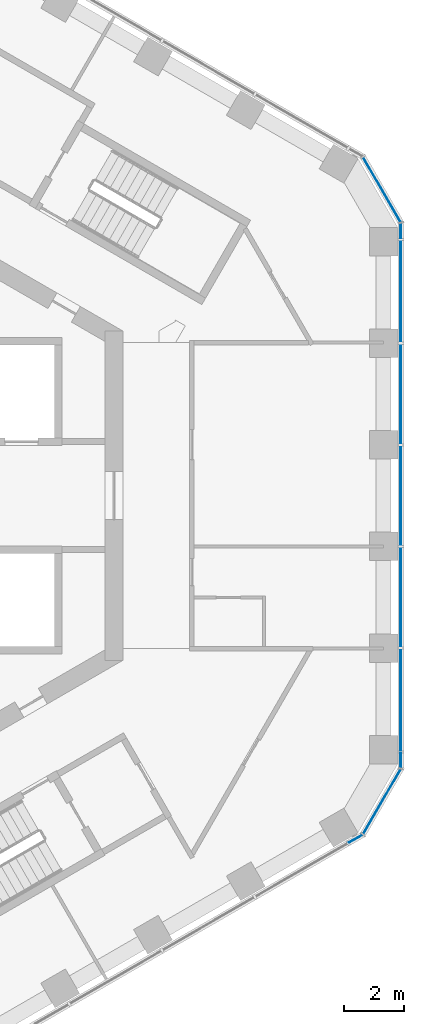
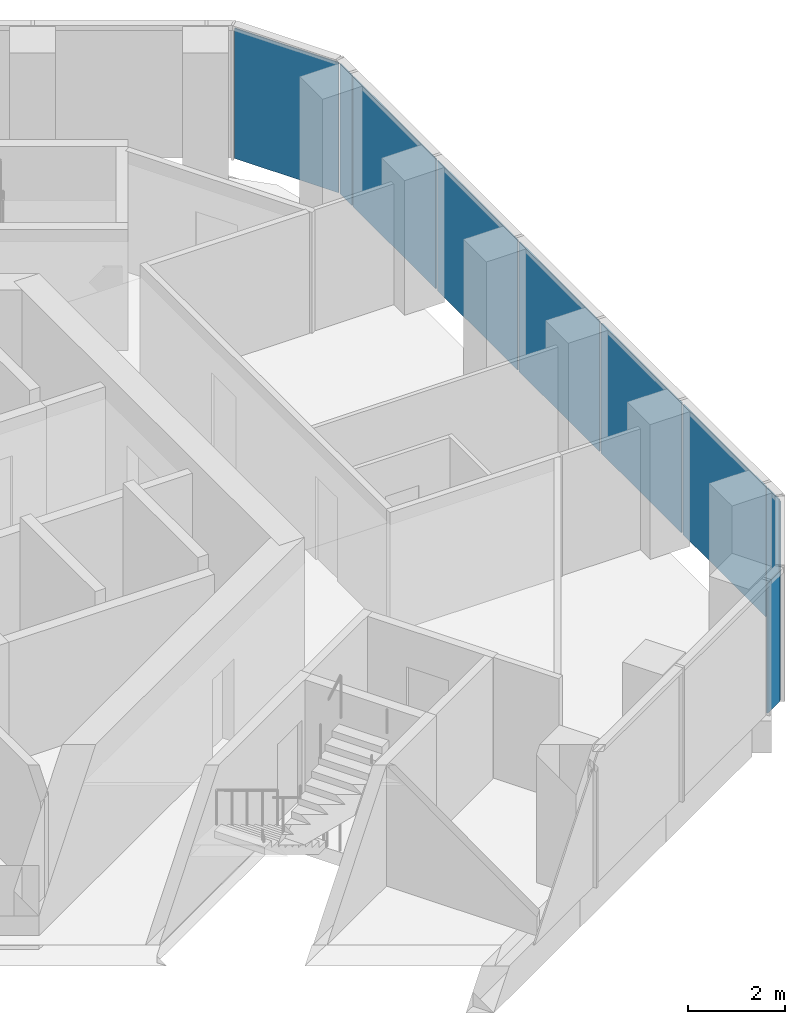
# One storey, part 12 of 18: 10 plates, 3 elements without a shape of their own.
"""IFC4 building model written with IfcOpenShell, lengths in metres."""

import ifcopenshell
import ifcopenshell.guid

model = None  # the IFC model being written
_history = None  # IfcOwnerHistory: only IFC2X3 demands one
_inside = {}  # id of a spatial element -> (the spatial element, [elements in it])
_under = {}  # id of a project, library or spatial element -> (it, [spatial elements below it])
_declared = {}  # id of a project -> (the project, [libraries it declares])
_typed = {}  # id of a type object -> (the type object, [elements of that type])
_made_of = {}  # id of a material, layer set ... -> (it, [elements and type objects made of it])


def new_model(schema):
    """Start an empty IFC model of exactly this schema.

    Asked for "IFC4X3", IfcOpenShell would pick the latest addendum, in which some entities
    have other attributes; the version numbers below select the first issue.
    IFC2X3 requires an IfcOwnerHistory on every rooted entity: one is made here for all.
    """
    global model, _history
    if schema == "IFC4X3":
        model = ifcopenshell.file(schema_version=(4, 3, 0, 0))
    else:
        model = ifcopenshell.file(schema=schema)
    _inside.clear()
    _under.clear()
    _declared.clear()
    _typed.clear()
    _made_of.clear()
    _history = None
    if model.schema == "IFC2X3":
        org = make("IfcOrganization", Name="unknown")
        user = make(
            "IfcPersonAndOrganization",
            ThePerson=make("IfcPerson", FamilyName="unknown"),
            TheOrganization=org,
        )
        app = make(
            "IfcApplication",
            ApplicationDeveloper=org,
            Version="unknown",
            ApplicationFullName="unknown",
            ApplicationIdentifier="unknown",
        )
        _history = make(
            "IfcOwnerHistory",
            OwningUser=user,
            OwningApplication=app,
            ChangeAction="ADDED",
            CreationDate=0,
        )
    return model


def make(cls, **values):
    """One entity of the class cls with the attributes given. An attribute that is None is left unset."""
    return model.create_entity(
        cls, **{name: value for name, value in values.items() if value is not None}
    )


def rooted(cls, **values):
    """An entity with a GlobalId (a new one), such as an element, a storey or a relation."""
    return make(cls, GlobalId=ifcopenshell.guid.new(), OwnerHistory=_history, **values)


def si_unit(unit_type, name, prefix=None):
    """IfcSIUnit, for example si_unit("LENGTHUNIT", "METRE", prefix="MILLI")."""
    return make("IfcSIUnit", UnitType=unit_type, Prefix=prefix, Name=name)


def assignment(units):
    """IfcUnitAssignment: the units of a project."""
    return None if units is None else make("IfcUnitAssignment", Units=units)


def point(xyz):
    """IfcCartesianPoint."""
    return None if xyz is None else make("IfcCartesianPoint", Coordinates=xyz)


def direction(xyz):
    """IfcDirection."""
    return None if xyz is None else make("IfcDirection", DirectionRatios=xyz)


def frame(location, z_axis=None, x_axis=None):
    """IfcAxis2Placement3D, a coordinate frame: its origin and axes. An axis left out is left unset."""
    return make(
        "IfcAxis2Placement3D",
        Location=point(location),
        Axis=direction(z_axis),
        RefDirection=direction(x_axis),
    )


def frame_2d(location, x_axis=None):
    """IfcAxis2Placement2D, a coordinate frame in the plane: its origin and x axis."""
    return make(
        "IfcAxis2Placement2D", Location=point(location), RefDirection=direction(x_axis)
    )


def origin():
    """The frame at (0, 0, 0) with its axes left unset."""
    return frame((0.0, 0.0, 0.0))


def origin_2d():
    """The frame at (0, 0) in the plane with its x axis left unset."""
    return frame_2d((0.0, 0.0))


def place(relative_to, where):
    """IfcLocalPlacement: puts the frame where relative to a parent placement (None: the world)."""
    return make(
        "IfcLocalPlacement", PlacementRelTo=relative_to, RelativePlacement=where
    )


def context(
    kind, dimensions, precision=None, world=None, true_north=None, identifier=None
):
    """IfcGeometricRepresentationContext, for example the 3D "Model" context."""
    return make(
        "IfcGeometricRepresentationContext",
        ContextIdentifier=identifier,
        ContextType=kind,
        CoordinateSpaceDimension=dimensions,
        Precision=precision,
        WorldCoordinateSystem=world,
        TrueNorth=true_north,
    )


def subcontext(parent, identifier, kind, view, scale=None):
    """IfcGeometricRepresentationSubContext, for example "Body" below "Model"."""
    return make(
        "IfcGeometricRepresentationSubContext",
        ContextIdentifier=identifier,
        ContextType=kind,
        ParentContext=parent,
        TargetScale=scale,
        TargetView=view,
    )


def project(units=None, contexts=None):
    """IfcProject with its units and contexts."""
    return rooted(
        "IfcProject",
        Name="project",
        RepresentationContexts=contexts,
        UnitsInContext=assignment(units),
    )


def spatial(cls, under=None, at=None, **own):
    """A site, building, storey or space (cls), placed at a placement, below another one or the project."""
    s = rooted(cls, ObjectPlacement=at, **own)
    if under is not None:
        _under.setdefault(under.id(), (under, []))[1].append(s)
    return s


def profile(cls, at=None, kind="AREA", **sizes):
    """A parametric profile (cls). Its sizes go by their IFC names, for example OverallWidth=200.0."""
    return make(cls, ProfileType=kind, Position=at, **sizes)


def rectangle(**sizes):
    """IfcRectangleProfileDef."""
    return profile("IfcRectangleProfileDef", **sizes)


def extrude(swept, where, along, depth):
    """IfcExtrudedAreaSolid: the profile swept, set in the frame where, extruded along a direction by depth."""
    return make(
        "IfcExtrudedAreaSolid",
        SweptArea=swept,
        Position=where,
        ExtrudedDirection=direction(along),
        Depth=depth,
    )


def shape(context_of_items, identifier, shape_type, items):
    """IfcShapeRepresentation: the items that make up one representation, for example the "Body"."""
    return make(
        "IfcShapeRepresentation",
        ContextOfItems=context_of_items,
        RepresentationIdentifier=identifier,
        RepresentationType=shape_type,
        Items=items,
    )


def material(Name=None, Category=None):
    """IfcMaterial."""
    return make("IfcMaterial", Name=Name, Category=Category)


def layer(
    of_material, thickness, ventilated=None, Name=None, Category=None, Priority=None
):
    """IfcMaterialLayer: one layer of a wall or slab, of a material (None: an air gap)."""
    return make(
        "IfcMaterialLayer",
        Material=of_material,
        LayerThickness=thickness,
        IsVentilated=ventilated,
        Name=Name,
        Category=Category,
        Priority=Priority,
    )


def layer_set(layers, Name=None):
    """IfcMaterialLayerSet."""
    return make("IfcMaterialLayerSet", MaterialLayers=layers, LayerSetName=Name)


def made_of(thing, what):
    """Note that an element or type object is made of a material, layer set ...; save() writes the relation."""
    if what is not None:
        _made_of.setdefault(what.id(), (what, []))[1].append(thing)
    return thing


def type_object(cls, material=None, **own):
    """A type object (cls), such as IfcWallType, which elements share."""
    return made_of(rooted(cls, **own), material)


def element(
    cls,
    number,
    at=None,
    inside=None,
    cuts=None,
    type_object=None,
    material=None,
    context=None,
    identifier="Body",
    shape_type=None,
    held_by="IfcProductDefinitionShape",
    body=None,
    shapes=None,
    **own,
):
    """One element of the class cls, such as IfcWall. Its Tag is "e" and its number.

    at: its placement. inside: the storey or other place that contains it. cuts: it is an
    opening in that element (IfcRelVoidsElement). A single representation is given by context,
    identifier, shape_type and body (its items); several are given by shapes. held_by: the class
    of the entity that holds the representations. save() writes the other relations.
    """
    e = rooted(cls, Tag="e%d" % number, ObjectPlacement=at, **own)
    if body is not None:
        shapes = [shape(context, identifier, shape_type, body)]
    if shapes is not None:
        e.Representation = make(held_by, Representations=shapes)
    if inside is not None:
        _inside.setdefault(inside.id(), (inside, []))[1].append(e)
    if cuts is not None:
        rooted(
            "IfcRelVoidsElement", RelatingBuildingElement=cuts, RelatedOpeningElement=e
        )
    if type_object is not None:
        _typed.setdefault(type_object.id(), (type_object, []))[1].append(e)
    return made_of(e, material)


def aggregate(whole, parts):
    """IfcRelAggregates: a whole, such as a stair, and the parts it consists of."""
    return rooted("IfcRelAggregates", RelatingObject=whole, RelatedObjects=parts)


def save(model, path):
    """Write the relations noted so far, then the file.

    IfcRelAggregates (storeys below a building ...), IfcRelContainedInSpatialStructure (elements
    in a storey), IfcRelDefinesByType, IfcRelAssociatesMaterial and IfcRelDeclares: one each for
    every whole, place, type object, material and project.
    """
    for whole, parts in _under.values():
        aggregate(whole, parts)
    for where, things in _inside.values():
        rooted(
            "IfcRelContainedInSpatialStructure",
            RelatedElements=things,
            RelatingStructure=where,
        )
    for kind, things in _typed.values():
        rooted("IfcRelDefinesByType", RelatedObjects=things, RelatingType=kind)
    for what, things in _made_of.values():
        rooted("IfcRelAssociatesMaterial", RelatedObjects=things, RelatingMaterial=what)
    for by, libraries in _declared.values():
        rooted("IfcRelDeclares", RelatingContext=by, RelatedDefinitions=libraries)
    model.write(path)


model = new_model("IFC4")

# Units and contexts
model_context = context("Model", 3, precision=1e-05, world=origin(), true_north=direction((0.0, 1.0)))
body_context = subcontext(model_context, "Body", "Model", "MODEL_VIEW")
ifc_project = project(units=[si_unit("LENGTHUNIT", "METRE"), si_unit("AREAUNIT", "SQUARE_METRE"), si_unit("VOLUMEUNIT", "CUBIC_METRE"), si_unit("PLANEANGLEUNIT", "RADIAN"), si_unit("MASSUNIT", "GRAM", prefix="KILO")], contexts=[model_context])

# Site, building, storey
site_placement = place(None, origin())
site = spatial("IfcSite", under=ifc_project, at=site_placement, CompositionType="ELEMENT")
building_placement = place(site_placement, origin())
building = spatial("IfcBuilding", under=site, at=building_placement, Name="Ayvan Gate Tower", CompositionType="ELEMENT")
storey_placement = place(building_placement, frame((0.0, 0.0, 166.300048828125)))
storey = spatial("IfcBuildingStorey", under=building, at=storey_placement, Name="L44", CompositionType="ELEMENT", Elevation=166.300048828125)

# Curtain wall, plates
ifc_material_1 = material(Name="Bronze anodised aluminium", Category="aluminium")
ifc_layer_1 = layer(ifc_material_1, 0.199951171875)
ifc_layer_set_1 = layer_set([ifc_layer_1], Name="Bronze anodised aluminium")
curtain_wall_type_1 = type_object("IfcCurtainWallType", Name="Stick curtain wall CW-2", PredefinedType="NOTDEFINED", material=ifc_layer_set_1)
curtain_wall_1_placement = place(storey_placement, origin())
curtain_wall_1 = element("IfcCurtainWall", 1, at=curtain_wall_1_placement, inside=storey, type_object=curtain_wall_type_1, Name="Stick curtain wall CW-2 L44", PredefinedType="NOTDEFINED")
ifc_material_2 = material(Name="Clear low-iron laminated glass", Category="glass")
ifc_layer_2 = layer(ifc_material_2, 0.028076171875)
ifc_layer_set_2 = layer_set([ifc_layer_2], Name="Clear low-iron laminated glass")
plate_type_1 = type_object("IfcPlateType", Name="Stick curtain wall CW-2 glass panel", PredefinedType="CURTAIN_PANEL", material=ifc_layer_set_2)
plate_1_placement = place(storey_placement, frame((18.761474609375, -6.822509765625, 0.0), z_axis=(0.0, 0.0, 1.0), x_axis=(0.0, 1.0, 0.0)))
plate_1 = element("IfcPlate", 2, at=plate_1_placement, type_object=plate_type_1, Name="CW-2 glass panel 1", PredefinedType="CURTAIN_PANEL", context=body_context, shape_type="SweptSolid", body=[
    extrude(rectangle(XDim=3.424072265625, YDim=0.028076171875, at=origin_2d()), origin(), (0.0, 0.0, 1.0), 3.280029296875),
])
plate_2_placement = place(storey_placement, frame((18.761474609375, -3.383544921875, 0.0), z_axis=(0.0, 0.0, 1.0), x_axis=(0.0, 1.0, 0.0)))
plate_2 = element("IfcPlate", 3, at=plate_2_placement, type_object=plate_type_1, Name="CW-2 glass panel 2", PredefinedType="CURTAIN_PANEL", context=body_context, shape_type="SweptSolid", body=[
    extrude(rectangle(XDim=3.31396484375, YDim=0.028076171875, at=origin_2d()), origin(), (0.0, 0.0, 1.0), 3.280029296875),
])
plate_3_placement = place(storey_placement, frame((18.761474609375, 0.0, 0.0), z_axis=(0.0, 0.0, 1.0), x_axis=(0.0, 1.0, 0.0)))
plate_3 = element("IfcPlate", 4, at=plate_3_placement, type_object=plate_type_1, Name="CW-2 glass panel 3", PredefinedType="CURTAIN_PANEL", context=body_context, shape_type="SweptSolid", body=[
    extrude(rectangle(XDim=3.31298828125, YDim=0.028076171875, at=origin_2d()), origin(), (0.0, 0.0, 1.0), 3.280029296875),
])
plate_4_placement = place(storey_placement, frame((18.761474609375, 3.383544921875, 0.0), z_axis=(0.0, 0.0, 1.0), x_axis=(0.0, 1.0, 0.0)))
plate_4 = element("IfcPlate", 5, at=plate_4_placement, type_object=plate_type_1, Name="CW-2 glass panel 4", PredefinedType="CURTAIN_PANEL", context=body_context, shape_type="SweptSolid", body=[
    extrude(rectangle(XDim=3.31396484375, YDim=0.028076171875, at=origin_2d()), origin(), (0.0, 0.0, 1.0), 3.280029296875),
])
plate_5_placement = place(storey_placement, frame((18.761474609375, 6.822509765625, 0.0), z_axis=(0.0, 0.0, 1.0), x_axis=(0.0, 1.0, 0.0)))
plate_5 = element("IfcPlate", 6, at=plate_5_placement, type_object=plate_type_1, Name="CW-2 glass panel 5", PredefinedType="CURTAIN_PANEL", context=body_context, shape_type="SweptSolid", body=[
    extrude(rectangle(XDim=3.424072265625, YDim=0.028076171875, at=origin_2d()), origin(), (0.0, 0.0, 1.0), 3.280029296875),
])
aggregate(curtain_wall_1, [plate_1, plate_2, plate_3, plate_4, plate_5])

ifc_layer_3 = layer(ifc_material_1, 0.199951171875)
ifc_layer_set_3 = layer_set([ifc_layer_3], Name="Bronze anodised aluminium")
curtain_wall_type_2 = type_object("IfcCurtainWallType", Name="Stick curtain wall CW-6", PredefinedType="NOTDEFINED", material=ifc_layer_set_3)
curtain_wall_2_placement = place(storey_placement, origin())
curtain_wall_2 = element("IfcCurtainWall", 7, at=curtain_wall_2_placement, inside=storey, type_object=curtain_wall_type_2, Name="Stick curtain wall CW-6 L44", PredefinedType="NOTDEFINED")
ifc_layer_4 = layer(ifc_material_2, 0.028076171875)
ifc_layer_set_4 = layer_set([ifc_layer_4], Name="Clear low-iron laminated glass")
plate_type_2 = type_object("IfcPlateType", Name="Stick curtain wall CW-6 glass panel", PredefinedType="CURTAIN_PANEL", material=ifc_layer_set_4)
plate_6_placement = place(storey_placement, frame((17.256103515625, -11.427001953125, 0.0), z_axis=(0.0, 0.0, 1.0), x_axis=(0.866025403784, 0.5, 0.0)))
plate_6 = element("IfcPlate", 8, at=plate_6_placement, type_object=plate_type_2, Name="CW-6 glass panel 1", PredefinedType="CURTAIN_PANEL", context=body_context, shape_type="SweptSolid", body=[
    extrude(rectangle(XDim=0.5, YDim=0.028076171875, at=origin_2d()), origin(), (0.0, 0.0, 1.0), 3.280029296875),
])
plate_7_placement = place(storey_placement, frame((18.1279296875, -10.192138671875, 0.0), z_axis=(0.0, 0.0, 1.0), x_axis=(0.5, 0.866025403784, 0.0)))
plate_7 = element("IfcPlate", 9, at=plate_7_placement, type_object=plate_type_2, Name="CW-6 glass panel 2", PredefinedType="CURTAIN_PANEL", context=body_context, shape_type="SweptSolid", body=[
    extrude(rectangle(XDim=2.484619140625, YDim=0.028076171875, at=origin_2d()), origin(), (0.0, 0.0, 1.0), 3.280029296875),
])
plate_8_placement = place(storey_placement, frame((18.761474609375, -8.819580078125, 0.0), z_axis=(0.0, 0.0, 1.0), x_axis=(0.0, 1.0, 0.0)))
plate_8 = element("IfcPlate", 10, at=plate_8_placement, type_object=plate_type_2, Name="CW-6 glass panel 3", PredefinedType="CURTAIN_PANEL", context=body_context, shape_type="SweptSolid", body=[
    extrude(rectangle(XDim=0.5, YDim=0.028076171875, at=origin_2d()), origin(), (0.0, 0.0, 1.0), 3.280029296875),
])
aggregate(curtain_wall_2, [plate_6, plate_7, plate_8])

curtain_wall_3_placement = place(storey_placement, origin())
curtain_wall_3 = element("IfcCurtainWall", 11, at=curtain_wall_3_placement, inside=storey, type_object=curtain_wall_type_2, Name="Stick curtain wall CW-6 L44", PredefinedType="NOTDEFINED")
plate_9_placement = place(storey_placement, frame((18.761474609375, 8.819580078125, 0.0), z_axis=(0.0, 0.0, 1.0), x_axis=(0.0, 1.0, 0.0)))
plate_9 = element("IfcPlate", 12, at=plate_9_placement, type_object=plate_type_2, Name="CW-6 glass panel 1", PredefinedType="CURTAIN_PANEL", context=body_context, shape_type="SweptSolid", body=[
    extrude(rectangle(XDim=0.5, YDim=0.028076171875, at=origin_2d()), origin(), (0.0, 0.0, 1.0), 3.280029296875),
])
plate_10_placement = place(storey_placement, frame((18.1279296875, 10.192138671875, 0.0), z_axis=(0.0, 0.0, 1.0), x_axis=(-0.5, 0.866025403784, 0.0)))
plate_10 = element("IfcPlate", 13, at=plate_10_placement, type_object=plate_type_2, Name="CW-6 glass panel 2", PredefinedType="CURTAIN_PANEL", context=body_context, shape_type="SweptSolid", body=[
    extrude(rectangle(XDim=2.484619140625, YDim=0.028076171875, at=origin_2d()), origin(), (0.0, 0.0, 1.0), 3.280029296875),
])
aggregate(curtain_wall_3, [plate_9, plate_10])

save(model, "model.ifc")
